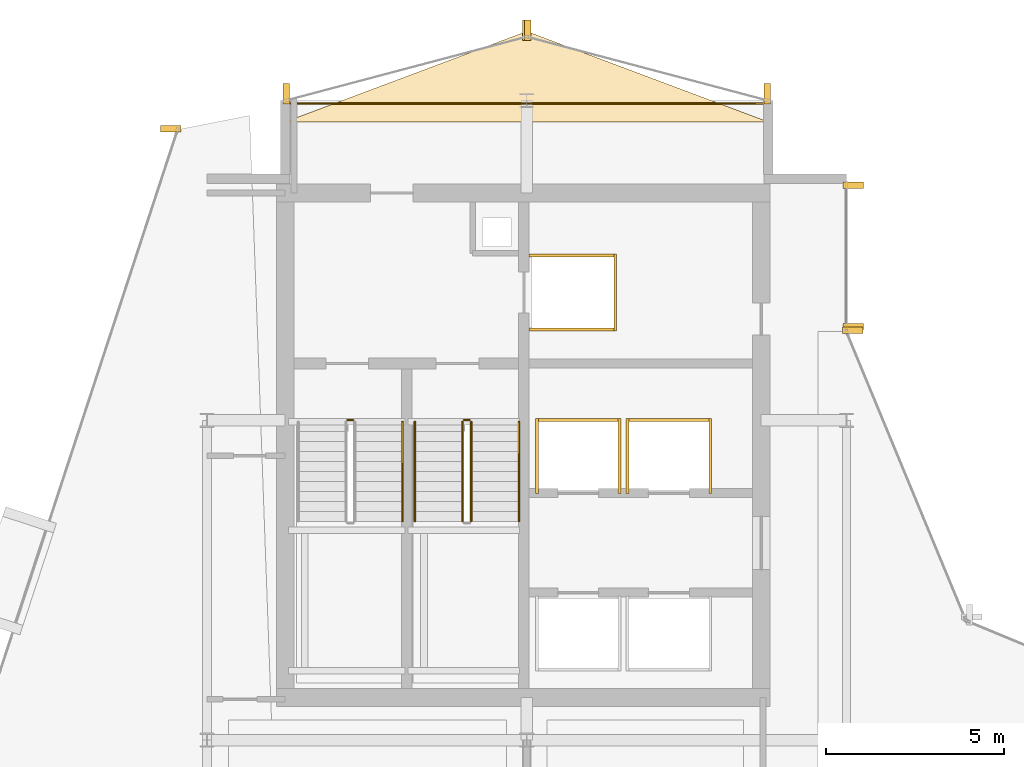
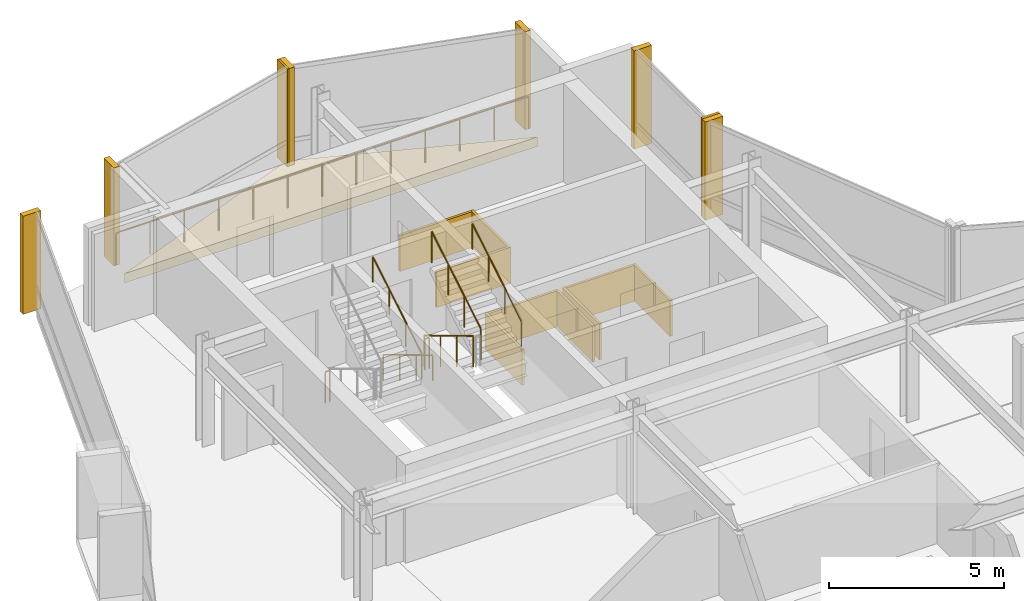
# One storey, part 28 of 28: 18 coverings, 8 railings.
"""IFC4 building model written with IfcOpenShell, lengths in metres."""

from ifc_helpers import new_model, si_unit, direction, frame, origin, origin_2d, place, context, subcontext, project, spatial, polyline, rectangle, circle, outline, extrude, material, layer, layer_set, type_object, element, save


model = new_model("IFC4")

# Units and contexts
model_context = context("Model", 3, precision=1e-05, world=origin(), true_north=direction((0.0, 1.0)))
body_context = subcontext(model_context, "Body", "Model", "MODEL_VIEW")
ifc_project = project(units=[si_unit("LENGTHUNIT", "METRE"), si_unit("AREAUNIT", "SQUARE_METRE"), si_unit("VOLUMEUNIT", "CUBIC_METRE"), si_unit("PLANEANGLEUNIT", "RADIAN"), si_unit("MASSUNIT", "GRAM", prefix="KILO")], contexts=[model_context])

# Site, building, storey
site_placement = place(None, origin())
site = spatial("IfcSite", under=ifc_project, at=site_placement, CompositionType="ELEMENT")
building_placement = place(site_placement, origin())
building = spatial("IfcBuilding", under=site, at=building_placement, Name="Solvaryn Broadcast Tower", CompositionType="ELEMENT")
storey_placement = place(building_placement, frame((0.0, 0.0, 209.89990234375)))
storey = spatial("IfcBuildingStorey", under=building, at=storey_placement, Name="L52", CompositionType="ELEMENT", Elevation=209.89990234375)

# Coverings
ifc_material_1 = material(Name="Fire-Rated Gypsum Shaftwall Liner", Category="concrete")
ifc_layer_1 = layer(ifc_material_1, 0.080078125)
ifc_layer_set_1 = layer_set([ifc_layer_1], Name="CV-SHAFT-LINER")
covering_type_1 = type_object("IfcCoveringType", Name="CV-SHAFT-LINER", PredefinedType="CLADDING", material=ifc_layer_set_1)
for number, where, z_axis, x_axis, name in (
    (1, (19.300048828125, 40.639892578125, 0.0), (0.0, 0.0, 1.0), (1.0, 0.0, 0.0), "L52 FL1 Hoistway Shaft Liner North"),
    (2, (19.300048828125, 38.56005859375, 0.0), (0.0, 0.0, 1.0), (1.0, 0.0, 0.0), "L52 FL1 Hoistway Shaft Liner South"),
):
    element("IfcCovering", number, at=place(storey_placement, frame(where, z_axis=z_axis, x_axis=x_axis)), inside=storey, type_object=covering_type_1, Name=name, PredefinedType="CLADDING", context=body_context, shape_type="SweptSolid", body=[
        extrude(rectangle(XDim=2.4599609375, YDim=0.080078125, at=origin_2d()), origin(), (0.0, 0.0, 1.0), 1.25),
    ])
covering_1_placement = place(storey_placement, frame((20.489990234375, 39.60009765625, 0.0), z_axis=(0.0, 0.0, 1.0), x_axis=(1.0, 0.0, 0.0)))
element("IfcCovering", 3, at=covering_1_placement, inside=storey, type_object=covering_type_1, Name="L52 FL1 Hoistway Shaft Liner East", PredefinedType="CLADDING", context=body_context, shape_type="SweptSolid", body=[
    extrude(rectangle(XDim=0.080078125, YDim=2.159912109375, at=origin_2d()), origin(), (0.0, 0.0, 1.0), 1.25),
])
covering_2_placement = place(storey_placement, frame((19.449951171875, 36.014892578125, 0.0), z_axis=(0.0, 0.0, 1.0), x_axis=(1.0, 0.0, 0.0)))
element("IfcCovering", 4, at=covering_2_placement, inside=storey, type_object=covering_type_1, Name="L52 PH3 Hoistway Shaft Liner North", PredefinedType="CLADDING", context=body_context, shape_type="SweptSolid", body=[
    extrude(rectangle(XDim=2.409912109375, YDim=0.080078125, at=origin_2d()), origin(), (0.0, 0.0, 1.0), 1.25),
])
for number, where, z_axis, x_axis, name in (
    (5, (20.614990234375, 35.0, 0.0), (0.0, 0.0, 1.0), (1.0, 0.0, 0.0), "L52 PH3 Hoistway Shaft Liner East"),
    (6, (18.284912109375, 35.0, 0.0), (0.0, 0.0, 1.0), (1.0, 0.0, 0.0), "L52 PH3 Hoistway Shaft Liner West"),
):
    element("IfcCovering", number, at=place(storey_placement, frame(where, z_axis=z_axis, x_axis=x_axis)), inside=storey, type_object=covering_type_1, Name=name, PredefinedType="CLADDING", context=body_context, shape_type="SweptSolid", body=[
        extrude(rectangle(XDim=0.080078125, YDim=2.110107421875, at=origin_2d()), origin(), (0.0, 0.0, 1.0), 1.25),
    ])
covering_3_placement = place(storey_placement, frame((22.0, 36.014892578125, 0.0), z_axis=(0.0, 0.0, 1.0), x_axis=(1.0, 0.0, 0.0)))
element("IfcCovering", 7, at=covering_3_placement, inside=storey, type_object=covering_type_1, Name="L52 PH4 Hoistway Shaft Liner North", PredefinedType="CLADDING", context=body_context, shape_type="SweptSolid", body=[
    extrude(rectangle(XDim=2.409912109375, YDim=0.080078125, at=origin_2d()), origin(), (0.0, 0.0, 1.0), 1.25),
])
for number, where, z_axis, x_axis, name in (
    (8, (23.1650390625, 35.0, 0.0), (0.0, 0.0, 1.0), (1.0, 0.0, 0.0), "L52 PH4 Hoistway Shaft Liner East"),
    (9, (20.8349609375, 35.0, 0.0), (0.0, 0.0, 1.0), (1.0, 0.0, 0.0), "L52 PH4 Hoistway Shaft Liner West"),
):
    element("IfcCovering", number, at=place(storey_placement, frame(where, z_axis=z_axis, x_axis=x_axis)), inside=storey, type_object=covering_type_1, Name=name, PredefinedType="CLADDING", context=body_context, shape_type="SweptSolid", body=[
        extrude(rectangle(XDim=0.080078125, YDim=2.110107421875, at=origin_2d()), origin(), (0.0, 0.0, 1.0), 1.25),
    ])
ifc_material_2 = material(Name="Extruded Architectural Terracotta Fin", Category="masonry")
ifc_layer_2 = layer(ifc_material_2, 0.179931640625)
ifc_layer_set_2 = layer_set([ifc_layer_2], Name="CV-TC-FIN")
covering_type_2 = type_object("IfcCoveringType", Name="CV-TC-FIN", PredefinedType="USERDEFINED", material=ifc_layer_set_2)
for number, where, z_axis, x_axis, name in (
    (10, (7.982666015625, 44.209716796875, 0.000244140625), (0.0, 0.0, 1.0), (1.0, 0.0, 0.0), "L52 Terracotta Vertical Fin FIN-L52-DR1-M00"),
    (11, (27.1875, 42.6201171875, 0.000244140625), (0.0, 0.0, 1.0), (1.0, 0.0, 0.0), "L52 Terracotta Vertical Fin FIN-L52-IV-M00"),
    (12, (27.1875, 38.6298828125, 0.000244140625), (0.0, 0.0, 1.0), (1.0, 0.0, 0.0), "L52 Terracotta Vertical Fin FIN-L52-IV-M01"),
    (13, (27.177978515625, 38.541259765625, 0.000244140625), (0.0, 0.0, 1.0), (1.0, 0.0, 0.0), "L52 Terracotta Vertical Fin FIN-L52-CN2-M01"),
):
    element("IfcCovering", number, at=place(storey_placement, frame(where, z_axis=z_axis, x_axis=x_axis)), inside=storey, type_object=covering_type_2, Name=name, ObjectType="FIN", PredefinedType="USERDEFINED", context=body_context, shape_type="SweptSolid", body=[
        extrude(rectangle(XDim=0.580078125, YDim=0.179931640625, at=origin_2d()), origin(), (0.0, 0.0, 1.0), 3.419921875),
    ])
for number, where, z_axis, x_axis, name in (
    (14, (24.77099609375, 45.1953125, 0.000244140625), (0.0, 0.0, 1.0), (1.0, 0.0, 0.0), "L52 Terracotta Vertical Fin FIN-L52-NT1-M00"),
    (15, (18.029052734375, 46.979736328125, 0.000244140625), (0.0, 0.0, 1.0), (1.0, 0.0, 0.0), "L52 Terracotta Vertical Fin FIN-L52-NT1-M01"),
    (16, (17.970947265625, 46.979736328125, 0.000244140625), (0.0, 0.0, 1.0), (1.0, 0.0, 0.0), "L52 Terracotta Vertical Fin FIN-L52-NT2-M00"),
    (17, (11.22900390625, 45.1953125, 0.000244140625), (0.0, 0.0, 1.0), (1.0, 0.0, 0.0), "L52 Terracotta Vertical Fin FIN-L52-NT2-M01"),
):
    element("IfcCovering", number, at=place(storey_placement, frame(where, z_axis=z_axis, x_axis=x_axis)), inside=storey, type_object=covering_type_2, Name=name, ObjectType="FIN", PredefinedType="USERDEFINED", context=body_context, shape_type="SweptSolid", body=[
        extrude(rectangle(XDim=0.179931640625, YDim=0.580078125, at=origin_2d()), origin(), (0.0, 0.0, 1.0), 3.419921875),
    ])
ifc_material_3 = material(Name="Sculpted Architectural Terracotta Wave Fascia", Category="masonry")
ifc_layer_3 = layer(ifc_material_3, 0.340087890625)
ifc_layer_set_3 = layer_set([ifc_layer_3], Name="CV-WAVE-TRAY")
covering_type_3 = type_object("IfcCoveringType", Name="CV-WAVE-TRAY", PredefinedType="CLADDING", material=ifc_layer_set_3)
covering_4_placement = place(storey_placement, frame((0.0, 0.0, -0.2998046875)))
element("IfcCovering", 18, at=covering_4_placement, inside=storey, type_object=covering_type_3, Name="L52 North Curved Wing Deck", PredefinedType="CLADDING", context=body_context, shape_type="SweptSolid", body=[
    extrude(outline(polyline([(11.199951171875, 44.39990234375), (24.800048828125, 44.39990234375), (18.0, 46.949951171875), (11.199951171875, 44.39990234375)])), origin(), (0.0, 0.0, 1.0), 0.329833984375),
])

# Railings
ifc_material_4 = material(Name="Painted Steel Stair Well Guard", Category="steel")
railing_type_1 = type_object("IfcRailingType", Name="RL-STAIR-GUARD", PredefinedType="BALUSTRADE", material=ifc_material_4)
railing_1_placement = place(storey_placement, frame((12.9599609375, 36.010009765625, 0.0)))
element("IfcRailing", 19, at=railing_1_placement, inside=storey, type_object=railing_type_1, Name="L52 ST1 stair guard 4", PredefinedType="BALUSTRADE", context=body_context, shape_type="SweptSolid", body=[
    extrude(circle(Radius=0.02392578125, at=origin_2d()), frame((0.0, 0.0, 1.076171875), z_axis=(1.0, 0.0, 0.0), x_axis=(0.0, 1.0, 0.0)), (0.0, 0.0, 1.0), 0.150146484375),
    extrude(circle(Radius=0.02099609375, at=origin_2d()), origin(), (0.0, 0.0, 1.0), 1.052001953125),
    extrude(circle(Radius=0.02099609375, at=origin_2d()), frame((0.150146484375, 0.0, 0.0)), (0.0, 0.0, 1.0), 1.052001953125),
])
railing_2_placement = place(storey_placement, frame((16.18994140625, 35.9599609375, 0.168212890625)))
element("IfcRailing", 20, at=railing_2_placement, inside=storey, type_object=railing_type_1, Name="L52 ST2 stair guard 1", PredefinedType="BALUSTRADE", context=body_context, shape_type="SweptSolid", body=[
    extrude(circle(Radius=0.02392578125, at=origin_2d()), frame((0.0, 0.0, 1.076171875), z_axis=(0.0, -0.857242210791, 0.514913383045), x_axis=(1.0, 0.0, 0.0)), (0.0, 0.0, 1.0), 3.266357421875),
    extrude(circle(Radius=0.02099609375, at=origin_2d()), origin(), (0.0, 0.0, 1.0), 1.052001953125),
    extrude(circle(Radius=0.02099609375, at=origin_2d()), frame((0.0, -0.933349609375, 0.560546875)), (0.0, 0.0, 1.0), 1.052001953125),
    extrude(circle(Radius=0.02099609375, at=origin_2d()), frame((0.0, -1.86669921875, 1.121337890625)), (0.0, 0.0, 1.0), 1.052001953125),
    extrude(circle(Radius=0.02099609375, at=origin_2d()), frame((0.0, -2.800048828125, 1.681884765625)), (0.0, 0.0, 1.0), 1.052001953125),
])
railing_3_placement = place(storey_placement, frame((16.43994140625, 33.159912109375, 2.018310546875)))
element("IfcRailing", 21, at=railing_3_placement, inside=storey, type_object=railing_type_1, Name="L52 ST2 stair guard 3", PredefinedType="BALUSTRADE", context=body_context, shape_type="SweptSolid", body=[
    extrude(circle(Radius=0.02392578125, at=origin_2d()), frame((0.0, 0.0, 1.076171875), z_axis=(0.0, 0.857242210791, 0.514913383045), x_axis=(-1.0, 0.0, 0.0)), (0.0, 0.0, 1.0), 3.266357421875),
    extrude(circle(Radius=0.02099609375, at=origin_2d()), origin(), (0.0, 0.0, 1.0), 1.052001953125),
    extrude(circle(Radius=0.02099609375, at=origin_2d()), frame((0.0, 0.933349609375, 0.560546875)), (0.0, 0.0, 1.0), 1.052001953125),
    extrude(circle(Radius=0.02099609375, at=origin_2d()), frame((0.0, 1.86669921875, 1.121337890625)), (0.0, 0.0, 1.0), 1.052001953125),
    extrude(circle(Radius=0.02099609375, at=origin_2d()), frame((0.0, 2.800048828125, 1.681884765625)), (0.0, 0.0, 1.0), 1.052001953125),
])
railing_4_placement = place(storey_placement, frame((16.239990234375, 36.010009765625, 0.0)))
element("IfcRailing", 22, at=railing_4_placement, inside=storey, type_object=railing_type_1, Name="L52 ST2 stair guard 4", PredefinedType="BALUSTRADE", context=body_context, shape_type="SweptSolid", body=[
    extrude(circle(Radius=0.02392578125, at=origin_2d()), frame((0.0, 0.0, 1.076171875), z_axis=(1.0, 0.0, 0.0), x_axis=(0.0, 1.0, 0.0)), (0.0, 0.0, 1.0), 0.14990234375),
    extrude(circle(Radius=0.02099609375, at=origin_2d()), origin(), (0.0, 0.0, 1.0), 1.052001953125),
    extrude(circle(Radius=0.02099609375, at=origin_2d()), frame((0.14990234375, 0.0, 0.0)), (0.0, 0.0, 1.0), 1.052001953125),
])
ifc_material_5 = material(Name="Brushed Stainless Steel Tubular Handrail", Category="steel")
railing_type_2 = type_object("IfcRailingType", Name="RL-STAIR-HANDRAIL", PredefinedType="HANDRAIL", material=ifc_material_5)
railing_5_placement = place(storey_placement, frame((14.5, 33.159912109375, 2.018310546875)))
element("IfcRailing", 23, at=railing_5_placement, inside=storey, type_object=railing_type_2, Name="L52 ST1 stair handrail 2", PredefinedType="HANDRAIL", context=body_context, shape_type="SweptSolid", body=[
    extrude(circle(Radius=0.02392578125, at=origin_2d()), frame((0.0, 0.0, 0.8759765625), z_axis=(0.0, 0.857242210791, 0.514913383045), x_axis=(-1.0, 0.0, 0.0)), (0.0, 0.0, 1.0), 3.266357421875),
    extrude(circle(Radius=0.02099609375, at=origin_2d()), origin(), (0.0, 0.0, 1.0), 0.851806640625),
    extrude(circle(Radius=0.02099609375, at=origin_2d()), frame((0.0, 0.933349609375, 0.560546875)), (0.0, 0.0, 1.0), 0.851806640625),
    extrude(circle(Radius=0.02099609375, at=origin_2d()), frame((0.0, 1.86669921875, 1.121337890625)), (0.0, 0.0, 1.0), 0.851806640625),
    extrude(circle(Radius=0.02099609375, at=origin_2d()), frame((0.0, 2.800048828125, 1.681884765625)), (0.0, 0.0, 1.0), 0.851806640625),
])
railing_6_placement = place(storey_placement, frame((14.85009765625, 35.9599609375, 0.168212890625)))
element("IfcRailing", 24, at=railing_6_placement, inside=storey, type_object=railing_type_2, Name="L52 ST2 stair handrail 1", PredefinedType="HANDRAIL", context=body_context, shape_type="SweptSolid", body=[
    extrude(circle(Radius=0.02392578125, at=origin_2d()), frame((0.0, 0.0, 0.8759765625), z_axis=(0.0, -0.857242210791, 0.514913383045), x_axis=(1.0, 0.0, 0.0)), (0.0, 0.0, 1.0), 3.266357421875),
    extrude(circle(Radius=0.02099609375, at=origin_2d()), origin(), (0.0, 0.0, 1.0), 0.851806640625),
    extrude(circle(Radius=0.02099609375, at=origin_2d()), frame((0.0, -0.933349609375, 0.560546875)), (0.0, 0.0, 1.0), 0.851806640625),
    extrude(circle(Radius=0.02099609375, at=origin_2d()), frame((0.0, -1.86669921875, 1.121337890625)), (0.0, 0.0, 1.0), 0.851806640625),
    extrude(circle(Radius=0.02099609375, at=origin_2d()), frame((0.0, -2.800048828125, 1.681884765625)), (0.0, 0.0, 1.0), 0.851806640625),
])
railing_7_placement = place(storey_placement, frame((17.780029296875, 33.159912109375, 2.018310546875)))
element("IfcRailing", 25, at=railing_7_placement, inside=storey, type_object=railing_type_2, Name="L52 ST2 stair handrail 2", PredefinedType="HANDRAIL", context=body_context, shape_type="SweptSolid", body=[
    extrude(circle(Radius=0.02392578125, at=origin_2d()), frame((0.0, 0.0, 0.8759765625), z_axis=(0.0, 0.857242210791, 0.514913383045), x_axis=(-1.0, 0.0, 0.0)), (0.0, 0.0, 1.0), 3.266357421875),
    extrude(circle(Radius=0.02099609375, at=origin_2d()), origin(), (0.0, 0.0, 1.0), 0.851806640625),
    extrude(circle(Radius=0.02099609375, at=origin_2d()), frame((0.0, 0.933349609375, 0.560546875)), (0.0, 0.0, 1.0), 0.851806640625),
    extrude(circle(Radius=0.02099609375, at=origin_2d()), frame((0.0, 1.86669921875, 1.121337890625)), (0.0, 0.0, 1.0), 0.851806640625),
    extrude(circle(Radius=0.02099609375, at=origin_2d()), frame((0.0, 2.800048828125, 1.681884765625)), (0.0, 0.0, 1.0), 0.851806640625),
])
ifc_material_6 = material(Name="Stainless Steel and Laminated Glass Guard", Category="steel")
railing_type_3 = type_object("IfcRailingType", Name="RL-TER-1150", PredefinedType="BALUSTRADE", material=ifc_material_6)
railing_8_placement = place(storey_placement, frame((11.199951171875, 44.919921875, 0.0)))
element("IfcRailing", 26, at=railing_8_placement, inside=storey, type_object=railing_type_3, Name="L52 North Wing Spandrel Edge Guard", PredefinedType="BALUSTRADE", context=body_context, shape_type="SweptSolid", body=[
    extrude(circle(Radius=0.02392578125, at=origin_2d()), frame((0.0, 0.0, 1.1259765625), z_axis=(1.0, 0.0, 0.0), x_axis=(0.0, 1.0, 0.0)), (0.0, 0.0, 1.0), 13.60009765625),
    extrude(circle(Radius=0.02099609375, at=origin_2d()), origin(), (0.0, 0.0, 1.0), 1.101806640625),
    extrude(circle(Radius=0.02099609375, at=origin_2d()), frame((1.13330078125, 0.0, 0.0)), (0.0, 0.0, 1.0), 1.101806640625),
    extrude(circle(Radius=0.02099609375, at=origin_2d()), frame((2.2666015625, 0.0, 0.0)), (0.0, 0.0, 1.0), 1.101806640625),
    extrude(circle(Radius=0.02099609375, at=origin_2d()), frame((3.39990234375, 0.0, 0.0)), (0.0, 0.0, 1.0), 1.101806640625),
    extrude(circle(Radius=0.02099609375, at=origin_2d()), frame((4.533447265625, 0.0, 0.0)), (0.0, 0.0, 1.0), 1.101806640625),
    extrude(circle(Radius=0.02099609375, at=origin_2d()), frame((5.666748046875, 0.0, 0.0)), (0.0, 0.0, 1.0), 1.101806640625),
    extrude(circle(Radius=0.02099609375, at=origin_2d()), frame((6.800048828125, 0.0, 0.0)), (0.0, 0.0, 1.0), 1.101806640625),
    extrude(circle(Radius=0.02099609375, at=origin_2d()), frame((7.933349609375, 0.0, 0.0)), (0.0, 0.0, 1.0), 1.101806640625),
    extrude(circle(Radius=0.02099609375, at=origin_2d()), frame((9.066650390625, 0.0, 0.0)), (0.0, 0.0, 1.0), 1.101806640625),
    extrude(circle(Radius=0.02099609375, at=origin_2d()), frame((10.2001953125, 0.0, 0.0)), (0.0, 0.0, 1.0), 1.101806640625),
    extrude(circle(Radius=0.02099609375, at=origin_2d()), frame((11.33349609375, 0.0, 0.0)), (0.0, 0.0, 1.0), 1.101806640625),
    extrude(circle(Radius=0.02099609375, at=origin_2d()), frame((12.466796875, 0.0, 0.0)), (0.0, 0.0, 1.0), 1.101806640625),
    extrude(circle(Radius=0.02099609375, at=origin_2d()), frame((13.60009765625, 0.0, 0.0)), (0.0, 0.0, 1.0), 1.101806640625),
])

save(model, "model.ifc")
